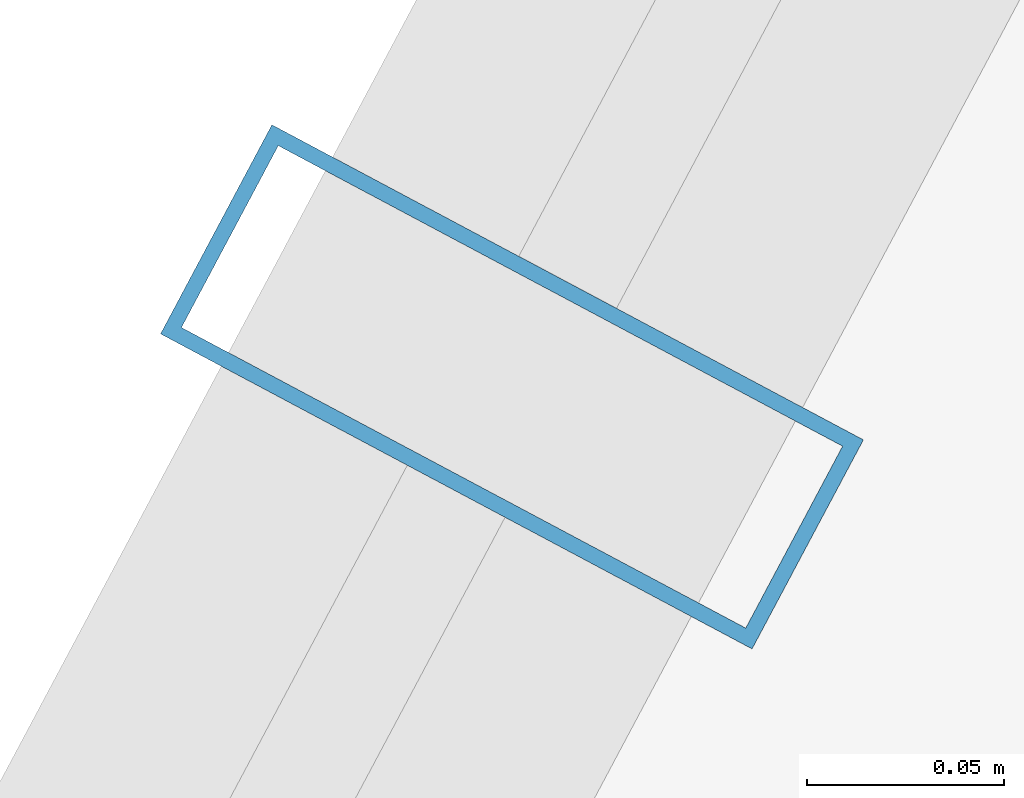
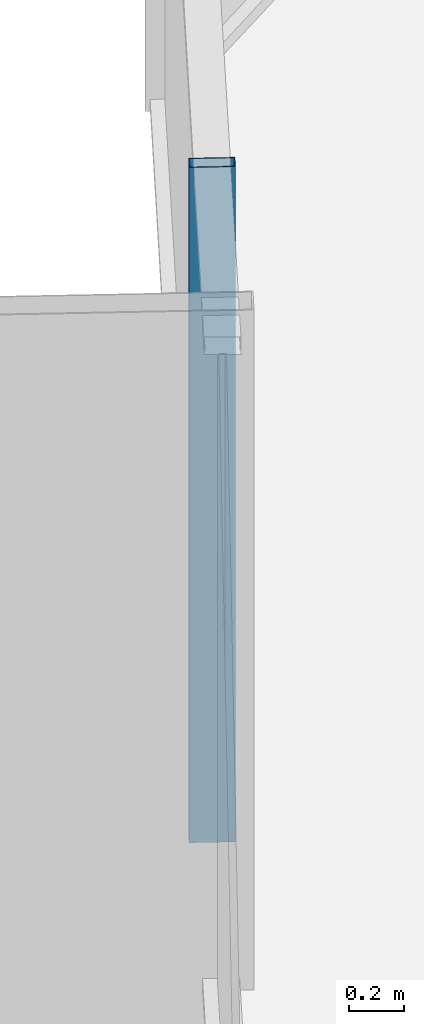
# One storey, part 23 of 39: 1 member, 1 element without a shape of its own.
"""IFC4 building model written with IfcOpenShell, lengths in metres."""

from ifc_helpers import new_model, si_unit, direction, frame, origin, origin_2d, place, context, subcontext, project, spatial, hollow_rectangle, extrude, source, transform, mapped, material, layer, layer_set, material_profile, profile_set, type_object, element, aggregate, save


model = new_model("IFC4")

# Units and contexts
model_context = context("Model", 3, precision=1e-05, world=origin(), true_north=direction((0.0, 1.0)))
body_context = subcontext(model_context, "Body", "Model", "MODEL_VIEW")
ifc_project = project(units=[si_unit("LENGTHUNIT", "METRE"), si_unit("AREAUNIT", "SQUARE_METRE"), si_unit("VOLUMEUNIT", "CUBIC_METRE"), si_unit("PLANEANGLEUNIT", "RADIAN"), si_unit("MASSUNIT", "GRAM", prefix="KILO")], contexts=[model_context])

# Site, building, storey
site_placement = place(None, origin())
site = spatial("IfcSite", under=ifc_project, at=site_placement, CompositionType="ELEMENT")
building_placement = place(site_placement, origin())
building = spatial("IfcBuilding", under=site, at=building_placement, Name="Veraguas Prism Commons", CompositionType="ELEMENT")
storey_placement = place(building_placement, frame((0.0, 0.0, 30.550048828125)))
storey = spatial("IfcBuildingStorey", under=building, at=storey_placement, Name="L07", CompositionType="ELEMENT", Elevation=30.550048828125)

# Curtain wall, member
ifc_material = material(Name="Anodised aluminium EN AW-6063 T6", Category="aluminium")
ifc_layer = layer(ifc_material, 0.169921875, Name="Unitised Flush Curtain Wall Zone 1", Category="aluminium")
ifc_layer_set = layer_set([ifc_layer], Name="Anodised aluminium EN AW-6063 T6")
curtain_wall_type = type_object("IfcCurtainWallType", Name="Unitised Flush Curtain Wall Zone 1", PredefinedType="NOTDEFINED", material=ifc_layer_set)
curtain_wall_placement = place(storey_placement, origin())
curtain_wall = element("IfcCurtainWall", 1, at=curtain_wall_placement, inside=storey, type_object=curtain_wall_type, Name="Tower Facade Curtain Wall L07-F3", PredefinedType="NOTDEFINED")
ifc_material_profile = material_profile(ifc_material, hollow_rectangle(XDim=0.06005859375, YDim=0.169921875, WallThickness=0.00390625, at=origin_2d()), Name="AL60X170X4")
ifc_profile_set = profile_set([ifc_material_profile], Name="Anodised aluminium EN AW-6063 T6")
member_type = type_object("IfcMemberType", Name="Curtain Wall Mullion Lower AL 60x170x4", PredefinedType="MULLION", material=ifc_profile_set)
shared_shape = source(origin(), body_context, "Body", "SweptSolid", [
    extrude(hollow_rectangle(XDim=0.06005859375, YDim=0.169921875, WallThickness=0.00390625, at=origin_2d()), origin(), (0.0, 0.0, 1.0), 3.0),
])
member_placement = place(storey_placement, frame((7.850830078125, 37.893310546875, 0.0), z_axis=(0.0, 0.0, 1.0), x_axis=(-0.470089402494, -0.882618804277, 0.0)))
member = element("IfcMember", 2, at=member_placement, type_object=member_type, Name="CW-Z1 Mullion 2", PredefinedType="MULLION", context=body_context, shape_type="MappedRepresentation", body=[
    mapped(shared_shape, transform((0.0, 0.0, 0.0), scale=1.0)),
])
aggregate(curtain_wall, [member])

save(model, "model.ifc")
